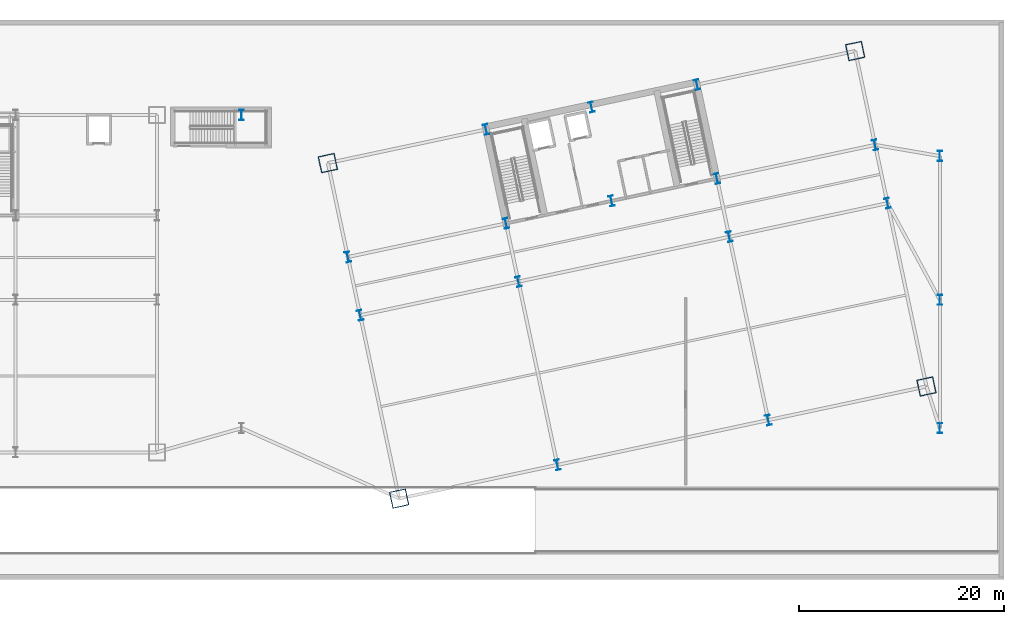
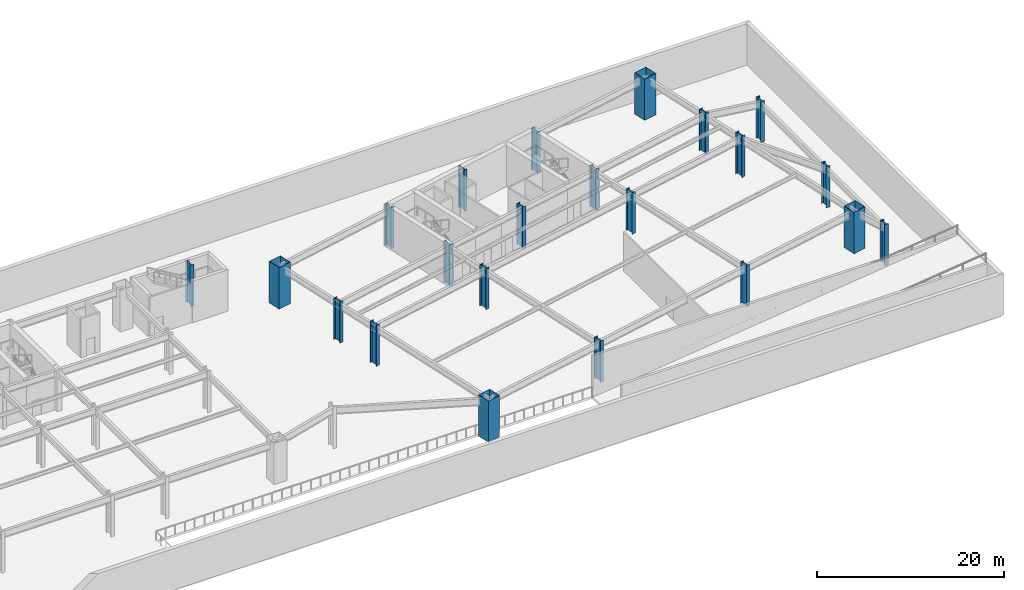
# One storey, part 2 of 16: 22 columns.
"""IFC4 building model written with IfcOpenShell, lengths in metres."""

from ifc_helpers import new_model, si_unit, direction, frame, origin, origin_2d, place, context, subcontext, project, spatial, hollow_rectangle, i_section, extrude, material, material_profile, profile_set, type_object, element, save


model = new_model("IFC4")

# Units and contexts
model_context = context("Model", 3, precision=1e-05, world=origin(), true_north=direction((0.0, 1.0)))
body_context = subcontext(model_context, "Body", "Model", "MODEL_VIEW")
ifc_project = project(units=[si_unit("LENGTHUNIT", "METRE"), si_unit("AREAUNIT", "SQUARE_METRE"), si_unit("VOLUMEUNIT", "CUBIC_METRE"), si_unit("PLANEANGLEUNIT", "RADIAN"), si_unit("MASSUNIT", "GRAM", prefix="KILO")], contexts=[model_context])

# Site, building, storey
site_placement = place(None, origin())
site = spatial("IfcSite", under=ifc_project, at=site_placement, CompositionType="ELEMENT")
building_placement = place(site_placement, origin())
building = spatial("IfcBuilding", under=site, at=building_placement, Name="Haevon Station Towers", CompositionType="ELEMENT")
storey_placement = place(building_placement, frame((0.0, 0.0, -5.39990234375)))
storey = spatial("IfcBuildingStorey", under=building, at=storey_placement, Name="B01", CompositionType="ELEMENT", Elevation=-5.39990234375)

# Columns
ifc_material = material(Name="Steel S460", Category="steel")
ifc_material_profile_1 = material_profile(ifc_material, hollow_rectangle(XDim=1.60009765625, YDim=1.60009765625, WallThickness=0.0400390625, at=origin_2d()), Name="BOX-1600x1600x40")
ifc_profile_set_1 = profile_set([ifc_material_profile_1], Name="Steel S460")
column_type_1 = type_object("IfcColumnType", Name="COL-MC1", PredefinedType="COLUMN", material=ifc_profile_set_1)
for number, where, z_axis, x_axis, name in (
    (1, (88.346923828125, 10.643310546875, 0.0), (0.0, 0.0, 1.0), (0.978147600734, 0.207911690818, 0.0), "COL-T2-B01-01-01"),
    (2, (81.402587890625, 43.3134765625, 0.0), (0.0, 0.0, 1.0), (0.978147600734, 0.207911690818, 0.0), "COL-T2-B01-01-04"),
    (3, (139.699462890625, 21.558837890625, 0.0), (0.0, 0.0, 1.0), (0.978147600734, 0.207911690818, 0.0), "COL-T2-B01-05-01"),
    (4, (132.75537109375, 54.228759765625, 0.0), (0.0, 0.0, 1.0), (0.978147600734, 0.207911690818, 0.0), "COL-T2-B01-05-04"),
):
    element("IfcColumn", number, at=place(storey_placement, frame(where, z_axis=z_axis, x_axis=x_axis)), inside=storey, type_object=column_type_1, Name=name, PredefinedType="COLUMN", context=body_context, shape_type="SweptSolid", body=[
        extrude(hollow_rectangle(XDim=1.60009765625, YDim=1.60009765625, WallThickness=0.0400390625, at=origin_2d()), origin(), (0.0, 0.0, 1.0), 5.39990234375),
    ])
ifc_material_profile_2 = material_profile(ifc_material, i_section(OverallWidth=0.449951171875, OverallDepth=1.0, WebThickness=0.02197265625, FlangeThickness=0.0400390625, at=origin_2d()), Name="H-1000x450x22x40")
ifc_profile_set_2 = profile_set([ifc_material_profile_2], Name="Steel S460")
column_type_2 = type_object("IfcColumnType", Name="COL-POD1", PredefinedType="COLUMN", material=ifc_profile_set_2)
for number, where, z_axis, x_axis, name in (
    (5, (84.552490234375, 28.49462890625, 0.0), (0.0, 0.0, 1.0), (0.978147600734, 0.207911690818, 0.0), "COL-T2-B01-01-02"),
    (6, (83.346435546875, 34.167724609375, 0.0), (0.0, 0.0, 1.0), (0.978147600734, 0.207911690818, 0.0), "COL-T2-B01-01-03"),
    (7, (103.752685546875, 13.91796875, 0.0), (0.0, 0.0, 1.0), (0.978147600734, 0.207911690818, 0.0), "COL-T2-B01-02-01"),
    (8, (99.958251953125, 31.76904296875, 0.0), (0.0, 0.0, 1.0), (0.978147600734, 0.207911690818, 0.0), "COL-T2-B01-02-02"),
    (9, (98.75244140625, 37.4423828125, 0.0), (0.0, 0.0, 1.0), (0.978147600734, 0.207911690818, 0.0), "COL-T2-B01-02-03"),
    (10, (96.808349609375, 46.588134765625, 0.0), (0.0, 0.0, 1.0), (0.978147600734, 0.207911690818, 0.0), "COL-T2-B01-02-04"),
    (11, (109.02294921875, 39.62548828125, 0.0), (0.0, 0.0, 1.0), (0.978147600734, 0.207911690818, 0.0), "COL-T2-B01-03-03"),
    (12, (107.078857421875, 48.771240234375, 0.0), (0.0, 0.0, 1.0), (0.978147600734, 0.207911690818, 0.0), "COL-T2-B01-03-04"),
    (13, (124.293701171875, 18.2841796875, 0.0), (0.0, 0.0, 1.0), (0.978147600734, 0.207911690818, 0.0), "COL-T2-B01-04-01"),
    (14, (120.499267578125, 36.13525390625, 0.0), (0.0, 0.0, 1.0), (0.978147600734, 0.207911690818, 0.0), "COL-T2-B01-04-02"),
    (15, (119.29345703125, 41.80859375, 0.0), (0.0, 0.0, 1.0), (0.978147600734, 0.207911690818, 0.0), "COL-T2-B01-04-03"),
    (16, (117.349365234375, 50.954345703125, 0.0), (0.0, 0.0, 1.0), (0.978147600734, 0.207911690818, 0.0), "COL-T2-B01-04-04"),
    (17, (135.9052734375, 39.409912109375, 0.0), (0.0, 0.0, 1.0), (0.978147600734, 0.207911690818, 0.0), "COL-T2-B01-05-02"),
    (18, (134.69921875, 45.083251953125, 0.0), (0.0, 0.0, 1.0), (0.978147600734, 0.207911690818, 0.0), "COL-T2-B01-05-03"),
    (19, (73.0, 48.0, 0.0), (0.0, 0.0, 1.0), (1.0, 0.0, 0.0), "COL-POD-B01-M2"),
    (20, (141.0, 17.5, 0.0), (0.0, 0.0, 1.0), (1.0, 0.0, 0.0), "COL-POD-B01-E1"),
    (21, (141.0, 30.0, 0.0), (0.0, 0.0, 1.0), (1.0, 0.0, 0.0), "COL-POD-B01-E2"),
    (22, (141.0, 44.0, 0.0), (0.0, 0.0, 1.0), (1.0, 0.0, 0.0), "COL-POD-B01-E3"),
):
    element("IfcColumn", number, at=place(storey_placement, frame(where, z_axis=z_axis, x_axis=x_axis)), inside=storey, type_object=column_type_2, Name=name, PredefinedType="COLUMN", context=body_context, shape_type="SweptSolid", body=[
        extrude(i_section(OverallWidth=0.449951171875, OverallDepth=1.0, WebThickness=0.02197265625, FlangeThickness=0.0400390625, at=origin_2d()), origin(), (0.0, 0.0, 1.0), 5.39990234375),
    ])

save(model, "model.ifc")
